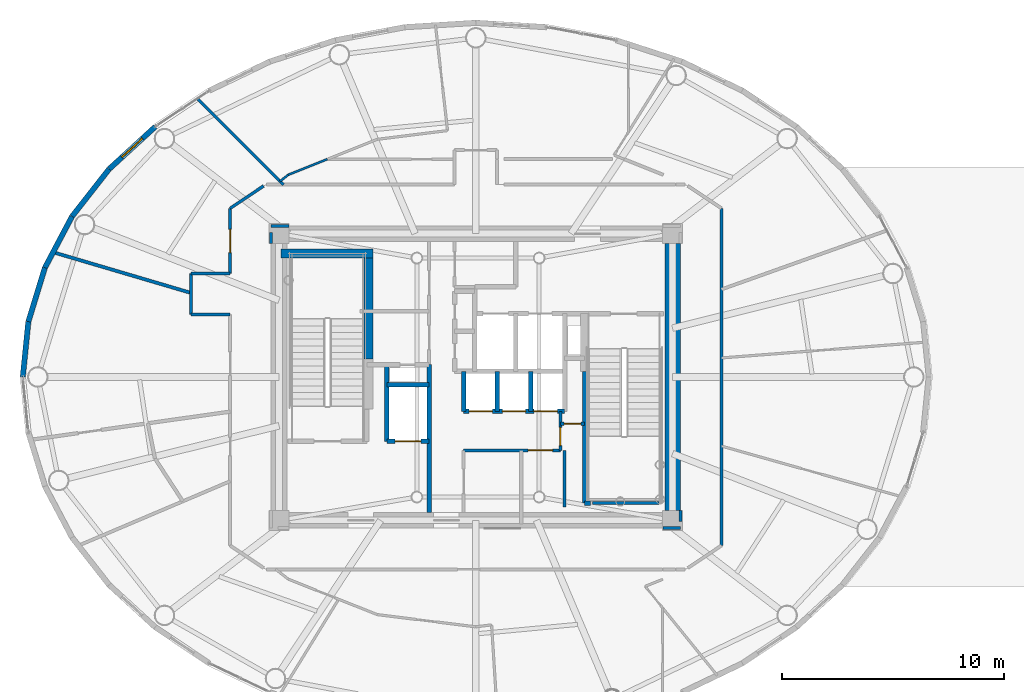
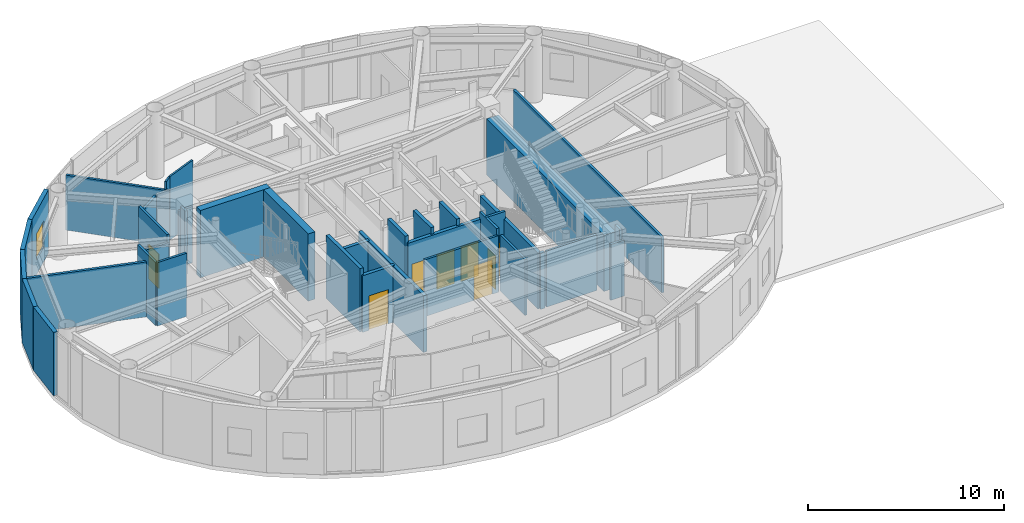
# One storey, part 15 of 24: 37 walls, 8 doors, 1 window, 9 openings.
"""IFC4 building model written with IfcOpenShell, lengths in metres."""

import ifcopenshell
import ifcopenshell.guid

model = None  # the IFC model being written
_history = None  # IfcOwnerHistory: only IFC2X3 demands one
_inside = {}  # id of a spatial element -> (the spatial element, [elements in it])
_under = {}  # id of a project, library or spatial element -> (it, [spatial elements below it])
_declared = {}  # id of a project -> (the project, [libraries it declares])
_typed = {}  # id of a type object -> (the type object, [elements of that type])
_made_of = {}  # id of a material, layer set ... -> (it, [elements and type objects made of it])


def new_model(schema):
    """Start an empty IFC model of exactly this schema.

    Asked for "IFC4X3", IfcOpenShell would pick the latest addendum, in which some entities
    have other attributes; the version numbers below select the first issue.
    IFC2X3 requires an IfcOwnerHistory on every rooted entity: one is made here for all.
    """
    global model, _history
    if schema == "IFC4X3":
        model = ifcopenshell.file(schema_version=(4, 3, 0, 0))
    else:
        model = ifcopenshell.file(schema=schema)
    _inside.clear()
    _under.clear()
    _declared.clear()
    _typed.clear()
    _made_of.clear()
    _history = None
    if model.schema == "IFC2X3":
        org = make("IfcOrganization", Name="unknown")
        user = make(
            "IfcPersonAndOrganization",
            ThePerson=make("IfcPerson", FamilyName="unknown"),
            TheOrganization=org,
        )
        app = make(
            "IfcApplication",
            ApplicationDeveloper=org,
            Version="unknown",
            ApplicationFullName="unknown",
            ApplicationIdentifier="unknown",
        )
        _history = make(
            "IfcOwnerHistory",
            OwningUser=user,
            OwningApplication=app,
            ChangeAction="ADDED",
            CreationDate=0,
        )
    return model


def make(cls, **values):
    """One entity of the class cls with the attributes given. An attribute that is None is left unset."""
    return model.create_entity(
        cls, **{name: value for name, value in values.items() if value is not None}
    )


def rooted(cls, **values):
    """An entity with a GlobalId (a new one), such as an element, a storey or a relation."""
    return make(cls, GlobalId=ifcopenshell.guid.new(), OwnerHistory=_history, **values)


def si_unit(unit_type, name, prefix=None):
    """IfcSIUnit, for example si_unit("LENGTHUNIT", "METRE", prefix="MILLI")."""
    return make("IfcSIUnit", UnitType=unit_type, Prefix=prefix, Name=name)


def assignment(units):
    """IfcUnitAssignment: the units of a project."""
    return None if units is None else make("IfcUnitAssignment", Units=units)


def point(xyz):
    """IfcCartesianPoint."""
    return None if xyz is None else make("IfcCartesianPoint", Coordinates=xyz)


def direction(xyz):
    """IfcDirection."""
    return None if xyz is None else make("IfcDirection", DirectionRatios=xyz)


def frame(location, z_axis=None, x_axis=None):
    """IfcAxis2Placement3D, a coordinate frame: its origin and axes. An axis left out is left unset."""
    return make(
        "IfcAxis2Placement3D",
        Location=point(location),
        Axis=direction(z_axis),
        RefDirection=direction(x_axis),
    )


def frame_2d(location, x_axis=None):
    """IfcAxis2Placement2D, a coordinate frame in the plane: its origin and x axis."""
    return make(
        "IfcAxis2Placement2D", Location=point(location), RefDirection=direction(x_axis)
    )


def origin():
    """The frame at (0, 0, 0) with its axes left unset."""
    return frame((0.0, 0.0, 0.0))


def origin_2d():
    """The frame at (0, 0) in the plane with its x axis left unset."""
    return frame_2d((0.0, 0.0))


def place(relative_to, where):
    """IfcLocalPlacement: puts the frame where relative to a parent placement (None: the world)."""
    return make(
        "IfcLocalPlacement", PlacementRelTo=relative_to, RelativePlacement=where
    )


def context(
    kind, dimensions, precision=None, world=None, true_north=None, identifier=None
):
    """IfcGeometricRepresentationContext, for example the 3D "Model" context."""
    return make(
        "IfcGeometricRepresentationContext",
        ContextIdentifier=identifier,
        ContextType=kind,
        CoordinateSpaceDimension=dimensions,
        Precision=precision,
        WorldCoordinateSystem=world,
        TrueNorth=true_north,
    )


def subcontext(parent, identifier, kind, view, scale=None):
    """IfcGeometricRepresentationSubContext, for example "Body" below "Model"."""
    return make(
        "IfcGeometricRepresentationSubContext",
        ContextIdentifier=identifier,
        ContextType=kind,
        ParentContext=parent,
        TargetScale=scale,
        TargetView=view,
    )


def project(units=None, contexts=None):
    """IfcProject with its units and contexts."""
    return rooted(
        "IfcProject",
        Name="project",
        RepresentationContexts=contexts,
        UnitsInContext=assignment(units),
    )


def spatial(cls, under=None, at=None, **own):
    """A site, building, storey or space (cls), placed at a placement, below another one or the project."""
    s = rooted(cls, ObjectPlacement=at, **own)
    if under is not None:
        _under.setdefault(under.id(), (under, []))[1].append(s)
    return s


def profile(cls, at=None, kind="AREA", **sizes):
    """A parametric profile (cls). Its sizes go by their IFC names, for example OverallWidth=200.0."""
    return make(cls, ProfileType=kind, Position=at, **sizes)


def rectangle(**sizes):
    """IfcRectangleProfileDef."""
    return profile("IfcRectangleProfileDef", **sizes)


def extrude(swept, where, along, depth):
    """IfcExtrudedAreaSolid: the profile swept, set in the frame where, extruded along a direction by depth."""
    return make(
        "IfcExtrudedAreaSolid",
        SweptArea=swept,
        Position=where,
        ExtrudedDirection=direction(along),
        Depth=depth,
    )


def shape(context_of_items, identifier, shape_type, items):
    """IfcShapeRepresentation: the items that make up one representation, for example the "Body"."""
    return make(
        "IfcShapeRepresentation",
        ContextOfItems=context_of_items,
        RepresentationIdentifier=identifier,
        RepresentationType=shape_type,
        Items=items,
    )


def source(mapping_origin, context_of_items, identifier, shape_type, items):
    """IfcRepresentationMap: a shape defined once, which mapped items show again and again."""
    return make(
        "IfcRepresentationMap",
        MappingOrigin=mapping_origin,
        MappedRepresentation=shape(context_of_items, identifier, shape_type, items),
    )


def transform(
    local_origin,
    x_axis=None,
    y_axis=None,
    z_axis=None,
    scale=None,
    scale2=None,
    scale3=None,
    uniform=True,
):
    """IfcCartesianTransformationOperator3D, or its non-uniform kind. x_axis, y_axis, z_axis: its Axis1, 2, 3."""
    if uniform:
        return make(
            "IfcCartesianTransformationOperator3D",
            Axis1=direction(x_axis),
            Axis2=direction(y_axis),
            LocalOrigin=point(local_origin),
            Scale=scale,
            Axis3=direction(z_axis),
        )
    return make(
        "IfcCartesianTransformationOperator3DnonUniform",
        Axis1=direction(x_axis),
        Axis2=direction(y_axis),
        LocalOrigin=point(local_origin),
        Scale=scale,
        Axis3=direction(z_axis),
        Scale2=scale2,
        Scale3=scale3,
    )


def mapped(mapping_source, mapping_target):
    """IfcMappedItem: shows the shape of a source again, moved by a transform."""
    return make(
        "IfcMappedItem", MappingSource=mapping_source, MappingTarget=mapping_target
    )


def material(Name=None, Category=None):
    """IfcMaterial."""
    return make("IfcMaterial", Name=Name, Category=Category)


def layer(
    of_material, thickness, ventilated=None, Name=None, Category=None, Priority=None
):
    """IfcMaterialLayer: one layer of a wall or slab, of a material (None: an air gap)."""
    return make(
        "IfcMaterialLayer",
        Material=of_material,
        LayerThickness=thickness,
        IsVentilated=ventilated,
        Name=Name,
        Category=Category,
        Priority=Priority,
    )


def layer_set(layers, Name=None):
    """IfcMaterialLayerSet."""
    return make("IfcMaterialLayerSet", MaterialLayers=layers, LayerSetName=Name)


def made_of(thing, what):
    """Note that an element or type object is made of a material, layer set ...; save() writes the relation."""
    if what is not None:
        _made_of.setdefault(what.id(), (what, []))[1].append(thing)
    return thing


def type_object(cls, material=None, **own):
    """A type object (cls), such as IfcWallType, which elements share."""
    return made_of(rooted(cls, **own), material)


def element(
    cls,
    number,
    at=None,
    inside=None,
    cuts=None,
    type_object=None,
    material=None,
    context=None,
    identifier="Body",
    shape_type=None,
    held_by="IfcProductDefinitionShape",
    body=None,
    shapes=None,
    **own,
):
    """One element of the class cls, such as IfcWall. Its Tag is "e" and its number.

    at: its placement. inside: the storey or other place that contains it. cuts: it is an
    opening in that element (IfcRelVoidsElement). A single representation is given by context,
    identifier, shape_type and body (its items); several are given by shapes. held_by: the class
    of the entity that holds the representations. save() writes the other relations.
    """
    e = rooted(cls, Tag="e%d" % number, ObjectPlacement=at, **own)
    if body is not None:
        shapes = [shape(context, identifier, shape_type, body)]
    if shapes is not None:
        e.Representation = make(held_by, Representations=shapes)
    if inside is not None:
        _inside.setdefault(inside.id(), (inside, []))[1].append(e)
    if cuts is not None:
        rooted(
            "IfcRelVoidsElement", RelatingBuildingElement=cuts, RelatedOpeningElement=e
        )
    if type_object is not None:
        _typed.setdefault(type_object.id(), (type_object, []))[1].append(e)
    return made_of(e, material)


def fill(opening, filler):
    """IfcRelFillsElement: the door or window that sits in an opening."""
    return rooted(
        "IfcRelFillsElement",
        RelatingOpeningElement=opening,
        RelatedBuildingElement=filler,
    )


def aggregate(whole, parts):
    """IfcRelAggregates: a whole, such as a stair, and the parts it consists of."""
    return rooted("IfcRelAggregates", RelatingObject=whole, RelatedObjects=parts)


def save(model, path):
    """Write the relations noted so far, then the file.

    IfcRelAggregates (storeys below a building ...), IfcRelContainedInSpatialStructure (elements
    in a storey), IfcRelDefinesByType, IfcRelAssociatesMaterial and IfcRelDeclares: one each for
    every whole, place, type object, material and project.
    """
    for whole, parts in _under.values():
        aggregate(whole, parts)
    for where, things in _inside.values():
        rooted(
            "IfcRelContainedInSpatialStructure",
            RelatedElements=things,
            RelatingStructure=where,
        )
    for kind, things in _typed.values():
        rooted("IfcRelDefinesByType", RelatedObjects=things, RelatingType=kind)
    for what, things in _made_of.values():
        rooted("IfcRelAssociatesMaterial", RelatedObjects=things, RelatingMaterial=what)
    for by, libraries in _declared.values():
        rooted("IfcRelDeclares", RelatingContext=by, RelatedDefinitions=libraries)
    model.write(path)


model = new_model("IFC4")

# Units and contexts
model_context = context("Model", 3, precision=1e-05, world=origin(), true_north=direction((0.0, 1.0)))
body_context = subcontext(model_context, "Body", "Model", "MODEL_VIEW")
ifc_project = project(units=[si_unit("LENGTHUNIT", "METRE"), si_unit("AREAUNIT", "SQUARE_METRE"), si_unit("VOLUMEUNIT", "CUBIC_METRE"), si_unit("PLANEANGLEUNIT", "RADIAN"), si_unit("MASSUNIT", "GRAM", prefix="KILO")], contexts=[model_context])

# Site, building, storey
site_placement = place(None, origin())
site = spatial("IfcSite", under=ifc_project, at=site_placement, CompositionType="ELEMENT")
building_placement = place(site_placement, origin())
building = spatial("IfcBuilding", under=site, at=building_placement, Name="Linh Dai School and Residence Tower", CompositionType="ELEMENT")
storey_placement = place(building_placement, frame((0.0, 0.0, 355.199951171875)))
storey = spatial("IfcBuildingStorey", under=building, at=storey_placement, Name="L88", CompositionType="ELEMENT", Elevation=355.199951171875)

# Wall, opening, window
ifc_material_1 = material(Name="Precast Concrete B45 (C35/45)", Category="concrete")
ifc_layer_1 = layer(ifc_material_1, 0.239990234375)
ifc_layer_set_1 = layer_set([ifc_layer_1], Name="Precast Concrete B45 (C35/45)")
wall_type_1 = type_object("IfcWallType", Name="EW-TC-240", PredefinedType="SOLIDWALL", material=ifc_layer_set_1)
wall_1_placement = place(storey_placement, frame((19.5068359375, 36.351806640625, 0.0), z_axis=(0.0, 0.0, 1.0), x_axis=(0.737020907932, 0.675869944051, 0.0)))
wall_1 = element("IfcWall", 1, at=wall_1_placement, inside=storey, type_object=wall_type_1, Name="L88 Terracotta Exterior Wall 16", PredefinedType="SOLIDWALL", context=body_context, shape_type="SweptSolid", body=[
    extrude(rectangle(XDim=2.814697265625, YDim=0.239990234375, at=frame_2d((1.4072265625, 0.0))), origin(), (0.0, 0.0, 1.0), 3.949951171875),
])
opening_1_placement = place(wall_1_placement, frame((0.78271484375, 0.0, 0.89990234375)))
opening_1 = element("IfcOpeningElement", 2, at=opening_1_placement, cuts=wall_1, Name="Opening W3", PredefinedType="OPENING", context=body_context, shape_type="SweptSolid", body=[
    extrude(rectangle(XDim=1.25, YDim=1.64990234375, at=origin_2d()), frame((0.625, 0.1298828125, 0.824951171875), z_axis=(0.0, -1.0, 0.0), x_axis=(1.0, 0.0, 0.0)), (0.0, 0.0, 1.0), 0.260009765625),
])
ifc_material_2 = material(Name="Double Low-E Insulated Glazing", Category="glass")
window_type = type_object("IfcWindowType", Name="WN-RES-1250x1650", PartitioningType="SINGLE_PANEL", PredefinedType="WINDOW", material=ifc_material_2)
shared_shape_1 = source(origin(), body_context, "Body", "SweptSolid", [
    extrude(rectangle(XDim=1.25, YDim=1.64990234375, at=origin_2d()), frame((0.625, 0.030029296875, 0.824951171875), z_axis=(0.0, -1.0, 0.0), x_axis=(1.0, 0.0, 0.0)), (0.0, 0.0, 1.0), 0.06005859375),
])
window_placement = place(opening_1_placement, origin())
window = element("IfcWindow", 3, at=window_placement, inside=storey, type_object=window_type, Name="L88 Exterior Window 16.1", OverallHeight=1.64990234375, OverallWidth=1.25, PartitioningType="SINGLE_PANEL", PredefinedType="WINDOW", context=body_context, shape_type="MappedRepresentation", body=[
    mapped(shared_shape_1, transform((0.0, 0.0, 0.0), x_axis=(1.0, 0.0, 0.0), y_axis=(0.0, 1.0, 0.0), z_axis=(0.0, 0.0, 1.0), scale=1.0)),
])
fill(opening_1, window)

# Walls
wall_2_placement = place(storey_placement, frame((17.839111328125, 34.220703125, 0.0), z_axis=(0.0, 0.0, 1.0), x_axis=(0.616286367698, 0.78752213492, 0.0)))
element("IfcWall", 4, at=wall_2_placement, inside=storey, type_object=wall_type_1, Name="L88 Terracotta Exterior Wall 17", PredefinedType="SOLIDWALL", context=body_context, shape_type="SweptSolid", body=[
    extrude(rectangle(XDim=2.7060546875, YDim=0.239990234375, at=frame_2d((1.35302734375, 0.0))), origin(), (0.0, 0.0, 1.0), 3.949951171875),
])
wall_3_placement = place(storey_placement, frame((16.618896484375, 31.913330078125, 0.0), z_axis=(0.0, 0.0, 1.0), x_axis=(0.467487999989, 0.883999417345, 0.0)))
element("IfcWall", 5, at=wall_3_placement, inside=storey, type_object=wall_type_1, Name="L88 Terracotta Exterior Wall 18", PredefinedType="SOLIDWALL", context=body_context, shape_type="SweptSolid", body=[
    extrude(rectangle(XDim=2.610107421875, YDim=0.239990234375, at=frame_2d((1.30517578125, 0.0))), origin(), (0.0, 0.0, 1.0), 3.949951171875),
])
wall_4_placement = place(storey_placement, frame((15.875, 29.48681640625, 0.0), z_axis=(0.0, 0.0, 1.0), x_axis=(0.293105547213, 0.956080089842, 0.0)))
element("IfcWall", 6, at=wall_4_placement, inside=storey, type_object=wall_type_1, Name="L88 Terracotta Exterior Wall 19", PredefinedType="SOLIDWALL", context=body_context, shape_type="SweptSolid", body=[
    extrude(rectangle(XDim=2.5380859375, YDim=0.239990234375, at=frame_2d((1.26904296875, 0.0))), origin(), (0.0, 0.0, 1.0), 3.949951171875),
])
wall_5_placement = place(storey_placement, frame((15.625, 27.0, 0.0), z_axis=(0.0, 0.0, 1.0), x_axis=(0.100025963401, 0.994984827344, 0.0)))
element("IfcWall", 7, at=wall_5_placement, inside=storey, type_object=wall_type_1, Name="L88 Terracotta Exterior Wall 20", PredefinedType="SOLIDWALL", context=body_context, shape_type="SweptSolid", body=[
    extrude(rectangle(XDim=2.499267578125, YDim=0.239990234375, at=frame_2d((1.24951171875, 0.0))), origin(), (0.0, 0.0, 1.0), 3.949951171875),
])
ifc_material_3 = material(Name="Autoclaved Aerated Concrete Blockwork", Category="masonry")
ifc_layer_2 = layer(ifc_material_3, 0.135009765625)
ifc_layer_set_2 = layer_set([ifc_layer_2], Name="Autoclaved Aerated Concrete Blockwork")
wall_type_2 = type_object("IfcWallType", Name="IW-CORR-135-EI90", PredefinedType="PARTITIONING", material=ifc_layer_set_2)
wall_6_placement = place(storey_placement, frame((23.199951171875, 29.800048828125, 0.0), z_axis=(0.0, 0.0, 1.0), x_axis=(0.0, 1.0, 0.0)))
element("IfcWall", 8, at=wall_6_placement, inside=storey, type_object=wall_type_2, Name="L88 Interior Partition Wall 006", PredefinedType="PARTITIONING", context=body_context, shape_type="SweptSolid", body=[
    extrude(rectangle(XDim=1.849853515625, YDim=0.135009765625, at=frame_2d((0.9248046875, 0.0))), origin(), (0.0, 0.0, 1.0), 3.949951171875),
])
wall_7_placement = place(storey_placement, frame((23.199951171875, 29.800048828125, 0.0), z_axis=(0.0, 0.0, 1.0), x_axis=(1.0, 0.0, 0.0)))
element("IfcWall", 9, at=wall_7_placement, inside=storey, type_object=wall_type_2, Name="L88 Interior Partition Wall 007", PredefinedType="PARTITIONING", context=body_context, shape_type="SweptSolid", body=[
    extrude(rectangle(XDim=1.75, YDim=0.135009765625, at=frame_2d((0.875, 0.0))), origin(), (0.0, 0.0, 1.0), 3.949951171875),
])
wall_8_placement = place(storey_placement, frame((23.199951171875, 31.64990234375, 0.0), z_axis=(0.0, 0.0, 1.0), x_axis=(1.0, 0.0, 0.0)))
element("IfcWall", 10, at=wall_8_placement, inside=storey, type_object=wall_type_2, Name="L88 Interior Partition Wall 008", PredefinedType="PARTITIONING", context=body_context, shape_type="SweptSolid", body=[
    extrude(rectangle(XDim=1.75, YDim=0.135009765625, at=frame_2d((0.875, 0.0))), origin(), (0.0, 0.0, 1.0), 3.485107421875),
])
wall_9_placement = place(storey_placement, frame((23.473876953125, 39.526123046875, 0.0), z_axis=(0.0, 0.0, 1.0), x_axis=(0.707106781187, -0.707106781187, 0.0)))
element("IfcWall", 11, at=wall_9_placement, inside=storey, type_object=wall_type_2, Name="L88 Interior Partition Wall 009", PredefinedType="PARTITIONING", context=body_context, shape_type="SweptSolid", body=[
    extrude(rectangle(XDim=5.481689453125, YDim=0.135009765625, at=frame_2d((2.74072265625, 0.0))), origin(), (0.0, 0.0, 1.0), 3.43505859375),
])

# Wall, opening, door
wall_10_placement = place(storey_placement, frame((24.949951171875, 31.64990234375, 0.0), z_axis=(0.0, 0.0, 1.0), x_axis=(0.0, 1.0, 0.0)))
wall_10 = element("IfcWall", 12, at=wall_10_placement, inside=storey, type_object=wall_type_2, Name="L88 Interior Partition Wall 012", PredefinedType="PARTITIONING", context=body_context, shape_type="SweptSolid", body=[
    extrude(rectangle(XDim=2.9326171875, YDim=0.135009765625, at=frame_2d((1.46630859375, 0.0))), origin(), (0.0, 0.0, 1.0), 3.949951171875),
])
opening_2_placement = place(wall_10_placement, frame((0.94140625, 0.0, 0.0)))
opening_2 = element("IfcOpeningElement", 13, at=opening_2_placement, cuts=wall_10, Name="Opening D04", PredefinedType="OPENING", context=body_context, shape_type="SweptSolid", body=[
    extrude(rectangle(XDim=1.050048828125, YDim=2.14990234375, at=origin_2d()), frame((0.52490234375, 0.07763671875, 1.074951171875), z_axis=(0.0, -1.0, 0.0), x_axis=(1.0, 0.0, 0.0)), (0.0, 0.0, 1.0), 0.155029296875),
])
ifc_material_4 = material(Name="Acoustic Vision-Panel Timber Classroom Door", Category="wood")
door_type_1 = type_object("IfcDoorType", Name="DR-SCH-1050x2150-FD60S", OperationType="NOTDEFINED", PredefinedType="DOOR", material=ifc_material_4)
shared_shape_2 = source(origin(), body_context, "Body", "SweptSolid", [
    extrude(rectangle(XDim=1.050048828125, YDim=2.14990234375, at=origin_2d()), frame((0.52490234375, 0.02490234375, 1.074951171875), z_axis=(0.0, -1.0, 0.0), x_axis=(1.0, 0.0, 0.0)), (0.0, 0.0, 1.0), 0.050048828125),
])
door_1_placement = place(opening_2_placement, origin())
door_1 = element("IfcDoor", 14, at=door_1_placement, inside=storey, type_object=door_type_1, Name="L88 Crown Sky Wintergarden Lounge Door", OperationType="SINGLE_SWING_RIGHT", OverallHeight=2.14990234375, OverallWidth=1.050048828125, PredefinedType="DOOR", context=body_context, shape_type="MappedRepresentation", body=[
    mapped(shared_shape_2, transform((0.0, 0.0, 0.0), x_axis=(1.0, 0.0, 0.0), y_axis=(0.0, 1.0, 0.0), z_axis=(0.0, 0.0, 1.0), scale=1.0)),
])
fill(opening_2, door_1)

# Wall
wall_11_placement = place(storey_placement, frame((24.949951171875, 34.58251953125, 0.0), z_axis=(0.0, 0.0, 1.0), x_axis=(0.831180227396, 0.556003084151, 0.0)))
element("IfcWall", 15, at=wall_11_placement, inside=storey, type_object=wall_type_2, Name="L88 Interior Partition Wall 013", PredefinedType="PARTITIONING", context=body_context, shape_type="SweptSolid", body=[
    extrude(rectangle(XDim=1.815185546875, YDim=0.135009765625, at=frame_2d((0.90771484375, 0.0))), origin(), (0.0, 0.0, 1.0), 3.485107421875),
])

# Wall, opening, door
wall_12_placement = place(storey_placement, frame((35.449951171875, 23.699951171875, 0.0), z_axis=(0.0, 0.0, 1.0), x_axis=(1.0, 0.0, 0.0)))
wall_12 = element("IfcWall", 16, at=wall_12_placement, inside=storey, type_object=wall_type_2, Name="L88 Interior Partition Wall 044", PredefinedType="PARTITIONING", context=body_context, shape_type="SweptSolid", body=[
    extrude(rectangle(XDim=4.35009765625, YDim=0.135009765625, at=frame_2d((2.175048828125, 0.0))), origin(), (0.0, 0.0, 1.0), 3.53515625),
])
opening_3_placement = place(wall_12_placement, frame((2.905029296875, 0.0, 0.0)))
opening_3 = element("IfcOpeningElement", 17, at=opening_3_placement, cuts=wall_12, Name="Opening D07", PredefinedType="OPENING", context=body_context, shape_type="SweptSolid", body=[
    extrude(rectangle(XDim=1.10009765625, YDim=2.14990234375, at=origin_2d()), frame((0.550048828125, 0.07763671875, 1.074951171875), z_axis=(0.0, -1.0, 0.0), x_axis=(1.0, 0.0, 0.0)), (0.0, 0.0, 1.0), 0.155029296875),
])
ifc_material_5 = material(Name="Fire-Rated Louvred Steel Plant Door", Category="steel")
door_type_2 = type_object("IfcDoorType", Name="DR-PLT-1100x2150-FD60S", OperationType="NOTDEFINED", PredefinedType="DOOR", material=ifc_material_5)
shared_shape_3 = source(origin(), body_context, "Body", "SweptSolid", [
    extrude(rectangle(XDim=1.10009765625, YDim=2.14990234375, at=origin_2d()), frame((0.550048828125, 0.02490234375, 1.074951171875), z_axis=(0.0, -1.0, 0.0), x_axis=(1.0, 0.0, 0.0)), (0.0, 0.0, 1.0), 0.050048828125),
])
door_2_placement = place(opening_3_placement, origin())
door_2 = element("IfcDoor", 18, at=door_2_placement, inside=storey, type_object=door_type_2, Name="L88 Telecom Node Room Door", OperationType="SINGLE_SWING_RIGHT", OverallHeight=2.14990234375, OverallWidth=1.10009765625, PredefinedType="DOOR", context=body_context, shape_type="MappedRepresentation", body=[
    mapped(shared_shape_3, transform((0.0, 0.0, 0.0), x_axis=(1.0, 0.0, 0.0), y_axis=(0.0, 1.0, 0.0), z_axis=(0.0, 0.0, 1.0), scale=1.0)),
])
fill(opening_3, door_2)

wall_13_placement = place(storey_placement, frame((39.800048828125, 23.699951171875, 0.0), z_axis=(0.0, 0.0, 1.0), x_axis=(0.0, 1.0, 0.0)))
wall_13 = element("IfcWall", 19, at=wall_13_placement, inside=storey, type_object=wall_type_2, Name="L88 Interior Partition Wall 059", PredefinedType="PARTITIONING", context=body_context, shape_type="SweptSolid", body=[
    extrude(rectangle(XDim=1.75, YDim=0.135009765625, at=frame_2d((0.875, 0.0))), origin(), (0.0, 0.0, 1.0), 3.949951171875),
])
opening_4_placement = place(wall_13_placement, frame((0.2099609375, 0.0, 0.0)))
opening_4 = element("IfcOpeningElement", 20, at=opening_4_placement, cuts=wall_13, Name="Opening D06", PredefinedType="OPENING", context=body_context, shape_type="SweptSolid", body=[
    extrude(rectangle(XDim=0.820068359375, YDim=2.10009765625, at=origin_2d()), frame((0.41015625, 0.07763671875, 1.050048828125), z_axis=(0.0, -1.0, 0.0), x_axis=(1.0, 0.0, 0.0)), (0.0, 0.0, 1.0), 0.155029296875),
])
ifc_material_6 = material(Name="Moisture-Resistant Timber Bathroom Door", Category="wood")
door_type_3 = type_object("IfcDoorType", Name="DR-WET-820x2100", OperationType="NOTDEFINED", PredefinedType="DOOR", material=ifc_material_6)
shared_shape_4 = source(origin(), body_context, "Body", "SweptSolid", [
    extrude(rectangle(XDim=0.820068359375, YDim=2.10009765625, at=origin_2d()), frame((0.41015625, 0.02490234375, 1.050048828125), z_axis=(0.0, -1.0, 0.0), x_axis=(1.0, 0.0, 0.0)), (0.0, 0.0, 1.0), 0.050048828125),
])
door_3_placement = place(opening_4_placement, origin())
door_3 = element("IfcDoor", 21, at=door_3_placement, inside=storey, type_object=door_type_3, Name="L88 SE Electrical Closet Door", OperationType="SINGLE_SWING_RIGHT", OverallHeight=2.10009765625, OverallWidth=0.820068359375, PredefinedType="DOOR", context=body_context, shape_type="MappedRepresentation", body=[
    mapped(shared_shape_4, transform((0.0, 0.0, 0.0), x_axis=(1.0, 0.0, 0.0), y_axis=(0.0, 1.0, 0.0), z_axis=(0.0, 0.0, 1.0), scale=1.0)),
])
fill(opening_4, door_3)

# Walls
wall_14_placement = place(storey_placement, frame((47.050048828125, 19.41748046875, 0.0), z_axis=(0.0, 0.0, 1.0), x_axis=(0.0, 1.0, 0.0)))
element("IfcWall", 22, at=wall_14_placement, inside=storey, type_object=wall_type_2, Name="L88 Interior Partition Wall 075", PredefinedType="PARTITIONING", context=body_context, shape_type="SweptSolid", body=[
    extrude(rectangle(XDim=15.1650390625, YDim=0.135009765625, at=frame_2d((7.58251953125, 0.0))), origin(), (0.0, 0.0, 1.0), 3.485107421875),
])
wall_15_placement = place(storey_placement, frame((44.239990234375, 21.330078125, 0.0), z_axis=(0.0, 0.0, 1.0), x_axis=(-1.0, 0.0, 0.0)))
element("IfcWall", 23, at=wall_15_placement, inside=storey, type_object=wall_type_2, Name="L88 Interior Partition Wall 079", PredefinedType="PARTITIONING", context=body_context, shape_type="SweptSolid", body=[
    extrude(rectangle(XDim=2.97998046875, YDim=0.135009765625, at=frame_2d((1.489990234375, 0.0))), origin(), (0.0, 0.0, 1.0), 3.485107421875),
])
wall_16_placement = place(storey_placement, frame((40.0, 23.699951171875, 0.0), z_axis=(0.0, 0.0, 1.0), x_axis=(0.0, -1.0, 0.0)))
element("IfcWall", 24, at=wall_16_placement, inside=storey, type_object=wall_type_2, Name="L88 Interior Partition Wall 080", PredefinedType="PARTITIONING", context=body_context, shape_type="SweptSolid", body=[
    extrude(rectangle(XDim=2.5400390625, YDim=0.135009765625, at=frame_2d((1.27001953125, 0.0))), origin(), (0.0, 0.0, 1.0), 3.485107421875),
])
wall_17_placement = place(storey_placement, frame((27.590087890625, 33.800048828125, 0.0), z_axis=(0.0, 0.0, 1.0), x_axis=(-1.0, 0.0, 0.0)))
element("IfcWall", 25, at=wall_17_placement, inside=storey, type_object=wall_type_2, Name="L88 Interior Partition Wall 085", PredefinedType="PARTITIONING", context=body_context, shape_type="SweptSolid", body=[
    extrude(rectangle(XDim=0.7900390625, YDim=0.135009765625, at=frame_2d((0.39501953125, 0.0))), origin(), (0.0, 0.0, 1.0), 3.485107421875),
])
wall_18_placement = place(storey_placement, frame((26.800048828125, 33.492431640625, 0.0), z_axis=(0.0, 0.0, 1.0), x_axis=(0.0, -1.0, 0.0)))
element("IfcWall", 26, at=wall_18_placement, inside=storey, type_object=wall_type_2, Name="L88 Interior Partition Wall 086", PredefinedType="PARTITIONING", context=body_context, shape_type="SweptSolid", body=[
    extrude(rectangle(XDim=0.482421875, YDim=0.135009765625, at=frame_2d((0.2412109375, 0.0))), origin(), (0.0, 0.0, 1.0), 3.949951171875),
])
wall_19_placement = place(storey_placement, frame((44.409912109375, 20.199951171875, 0.0), z_axis=(0.0, 0.0, 1.0), x_axis=(1.0, 0.0, 0.0)))
element("IfcWall", 27, at=wall_19_placement, inside=storey, type_object=wall_type_2, Name="L88 Interior Partition Wall 089", PredefinedType="PARTITIONING", context=body_context, shape_type="SweptSolid", body=[
    extrude(rectangle(XDim=0.7900390625, YDim=0.135009765625, at=frame_2d((0.39501953125, 0.0))), origin(), (0.0, 0.0, 1.0), 3.485107421875),
])
wall_20_placement = place(storey_placement, frame((45.199951171875, 20.507568359375, 0.0), z_axis=(0.0, 0.0, 1.0), x_axis=(0.0, 1.0, 0.0)))
element("IfcWall", 28, at=wall_20_placement, inside=storey, type_object=wall_type_2, Name="L88 Interior Partition Wall 090", PredefinedType="PARTITIONING", context=body_context, shape_type="SweptSolid", body=[
    extrude(rectangle(XDim=0.482421875, YDim=0.135009765625, at=frame_2d((0.2412109375, 0.0))), origin(), (0.0, 0.0, 1.0), 3.949951171875),
])
ifc_layer_3 = layer(ifc_material_3, 0.14990234375)
ifc_layer_set_3 = layer_set([ifc_layer_3], Name="Autoclaved Aerated Concrete Blockwork")
wall_type_3 = type_object("IfcWallType", Name="IW-SCH-150-EI60", PredefinedType="PARTITIONING", material=ifc_layer_set_3)
wall_21_placement = place(storey_placement, frame((16.982421875, 32.611572265625, 0.0), z_axis=(0.0, 0.0, 1.0), x_axis=(0.95911324628, -0.283022580037, 0.0)))
element("IfcWall", 29, at=wall_21_placement, inside=storey, type_object=wall_type_3, Name="L88 Interior Partition Wall 002", PredefinedType="PARTITIONING", context=body_context, shape_type="SweptSolid", body=[
    extrude(rectangle(XDim=6.482666015625, YDim=0.14990234375, at=frame_2d((3.2412109375, 0.0))), origin(), (0.0, 0.0, 1.0), 3.43505859375),
])

# Wall, opening, door
wall_22_placement = place(storey_placement, frame((39.800048828125, 24.89990234375, 0.0), z_axis=(0.0, 0.0, 1.0), x_axis=(1.0, 0.0, 0.0)))
wall_22 = element("IfcWall", 30, at=wall_22_placement, inside=storey, type_object=wall_type_3, Name="L88 Interior Partition Wall 060", PredefinedType="PARTITIONING", context=body_context, shape_type="SweptSolid", body=[
    extrude(rectangle(XDim=1.099853515625, YDim=0.14990234375, at=frame_2d((0.5498046875, 0.0))), origin(), (0.0, 0.0, 1.0), 3.949951171875),
])
opening_5_placement = place(wall_22_placement, frame((0.169921875, 0.0, 0.0)))
opening_5 = element("IfcOpeningElement", 31, at=opening_5_placement, cuts=wall_22, Name="Opening D08", PredefinedType="OPENING", context=body_context, shape_type="SweptSolid", body=[
    extrude(rectangle(XDim=0.760009765625, YDim=2.10009765625, at=origin_2d()), frame((0.3798828125, 0.0849609375, 1.050048828125), z_axis=(0.0, -1.0, 0.0), x_axis=(1.0, 0.0, 0.0)), (0.0, 0.0, 1.0), 0.169921875),
])
ifc_material_7 = material(Name="Engineered Timber Closet and Study Door", Category="wood")
door_type_4 = type_object("IfcDoorType", Name="DR-CMP-760x2100", OperationType="NOTDEFINED", PredefinedType="DOOR", material=ifc_material_7)
shared_shape_5 = source(origin(), body_context, "Body", "SweptSolid", [
    extrude(rectangle(XDim=0.760009765625, YDim=2.10009765625, at=origin_2d()), frame((0.3798828125, 0.02490234375, 1.050048828125), z_axis=(0.0, -1.0, 0.0), x_axis=(1.0, 0.0, 0.0)), (0.0, 0.0, 1.0), 0.050048828125),
])
door_4_placement = place(opening_5_placement, origin())
door_4 = element("IfcDoor", 32, at=door_4_placement, inside=storey, type_object=door_type_4, Name="L88 NE Equipment Store Door", OperationType="SINGLE_SWING_LEFT", OverallHeight=2.10009765625, OverallWidth=0.760009765625, PredefinedType="DOOR", context=body_context, shape_type="MappedRepresentation", body=[
    mapped(shared_shape_5, transform((0.0, 0.0, 0.0), x_axis=(1.0, 0.0, 0.0), y_axis=(0.0, 1.0, 0.0), z_axis=(0.0, 0.0, 1.0), scale=1.0)),
])
fill(opening_5, door_4)

# Wall
ifc_material_8 = material(Name="Concrete B45 (C35/45)", Category="concrete")
ifc_layer_4 = layer(ifc_material_8, 0.199951171875)
ifc_layer_set_4 = layer_set([ifc_layer_4], Name="Concrete B45 (C35/45)")
wall_type_4 = type_object("IfcWallType", Name="IW-SHAFT-200-EI120", PredefinedType="PARTITIONING", material=ifc_layer_set_4)
wall_23_placement = place(storey_placement, frame((32.0, 24.10009765625, 0.0), z_axis=(0.0, 0.0, 1.0), x_axis=(0.0, 1.0, 0.0)))
element("IfcWall", 33, at=wall_23_placement, inside=storey, type_object=wall_type_4, Name="L88 Interior Partition Wall 029", PredefinedType="PARTITIONING", context=body_context, shape_type="SweptSolid", body=[
    extrude(rectangle(XDim=3.449951171875, YDim=0.199951171875, at=frame_2d((1.72509765625, 0.0))), origin(), (0.0, 0.0, 1.0), 3.949951171875),
])

# Wall, opening, door
wall_24_placement = place(storey_placement, frame((32.0, 24.10009765625, 0.0), z_axis=(0.0, 0.0, 1.0), x_axis=(1.0, 0.0, 0.0)))
wall_24 = element("IfcWall", 34, at=wall_24_placement, inside=storey, type_object=wall_type_4, Name="L88 Interior Partition Wall 030", PredefinedType="PARTITIONING", context=body_context, shape_type="SweptSolid", body=[
    extrude(rectangle(XDim=1.89990234375, YDim=0.199951171875, at=frame_2d((0.949951171875, 0.0))), origin(), (0.0, 0.0, 1.0), 3.53515625),
])
opening_6_placement = place(wall_24_placement, frame((0.375, 0.0, 0.0)))
opening_6 = element("IfcOpeningElement", 35, at=opening_6_placement, cuts=wall_24, Name="Opening LD-FF2", PredefinedType="OPENING", context=body_context, shape_type="SweptSolid", body=[
    extrude(rectangle(XDim=1.14990234375, YDim=2.14990234375, at=origin_2d()), frame((0.574951171875, 0.10986328125, 1.074951171875), z_axis=(0.0, -1.0, 0.0), x_axis=(1.0, 0.0, 0.0)), (0.0, 0.0, 1.0), 0.219970703125),
])
ifc_material_9 = material(Name="Fire-Rated Stainless Steel Firefighting Lift Door", Category="steel")
door_type_5 = type_object("IfcDoorType", Name="DR-LD-FF-1150x2150-FD120", OperationType="DOUBLE_DOOR_SLIDING", PredefinedType="USERDEFINED", material=ifc_material_9)
shared_shape_6 = source(origin(), body_context, "Body", "SweptSolid", [
    extrude(rectangle(XDim=1.14990234375, YDim=2.14990234375, at=origin_2d()), frame((0.574951171875, 0.02490234375, 1.074951171875), z_axis=(0.0, -1.0, 0.0), x_axis=(1.0, 0.0, 0.0)), (0.0, 0.0, 1.0), 0.050048828125),
])
door_5_placement = place(opening_6_placement, origin())
door_5 = element("IfcDoor", 36, at=door_5_placement, inside=storey, type_object=door_type_5, Name="L88 Lift FF2 Sliding Landing Door", ObjectType="LANDING DOOR", OperationType="DOUBLE_DOOR_SLIDING", OverallHeight=2.14990234375, OverallWidth=1.14990234375, PredefinedType="USERDEFINED", context=body_context, shape_type="MappedRepresentation", body=[
    mapped(shared_shape_6, transform((0.0, 0.0, 0.0), x_axis=(1.0, 0.0, 0.0), y_axis=(0.0, 1.0, 0.0), z_axis=(0.0, 0.0, 1.0), scale=1.0)),
])
fill(opening_6, door_5)

# Walls
wall_25_placement = place(storey_placement, frame((32.0, 26.64990234375, 0.0), z_axis=(0.0, 0.0, 1.0), x_axis=(1.0, 0.0, 0.0)))
element("IfcWall", 37, at=wall_25_placement, inside=storey, type_object=wall_type_4, Name="L88 Interior Partition Wall 031", PredefinedType="PARTITIONING", context=body_context, shape_type="SweptSolid", body=[
    extrude(rectangle(XDim=1.89990234375, YDim=0.199951171875, at=frame_2d((0.949951171875, 0.0))), origin(), (0.0, 0.0, 1.0), 3.53515625),
])
wall_26_placement = place(storey_placement, frame((33.89990234375, 20.89990234375, 0.0), z_axis=(0.0, 0.0, 1.0), x_axis=(0.0, 1.0, 0.0)))
element("IfcWall", 38, at=wall_26_placement, inside=storey, type_object=wall_type_4, Name="L88 Interior Partition Wall 032", PredefinedType="PARTITIONING", context=body_context, shape_type="SweptSolid", body=[
    extrude(rectangle(XDim=6.650146484375, YDim=0.199951171875, at=frame_2d((3.3251953125, 0.0))), origin(), (0.0, 0.0, 1.0), 3.53515625),
])
wall_27_placement = place(storey_placement, frame((35.449951171875, 25.449951171875, 0.0), z_axis=(0.0, 0.0, 1.0), x_axis=(0.0, 1.0, 0.0)))
element("IfcWall", 39, at=wall_27_placement, inside=storey, type_object=wall_type_4, Name="L88 Interior Partition Wall 045", PredefinedType="PARTITIONING", context=body_context, shape_type="SweptSolid", body=[
    extrude(rectangle(XDim=1.800048828125, YDim=0.199951171875, at=frame_2d((0.89990234375, 0.0))), origin(), (0.0, 0.0, 1.0), 3.949951171875),
])

# Wall, openings, doors
wall_28_placement = place(storey_placement, frame((35.449951171875, 25.449951171875, 0.0), z_axis=(0.0, 0.0, 1.0), x_axis=(1.0, 0.0, 0.0)))
wall_28 = element("IfcWall", 40, at=wall_28_placement, inside=storey, type_object=wall_type_4, Name="L88 Interior Partition Wall 046", PredefinedType="PARTITIONING", context=body_context, shape_type="SweptSolid", body=[
    extrude(rectangle(XDim=4.550048828125, YDim=0.199951171875, at=frame_2d((2.27490234375, 0.0))), origin(), (0.0, 0.0, 1.0), 3.53515625),
])
opening_7_placement = place(wall_28_placement, frame((0.25, 0.0, 0.0)))
opening_7 = element("IfcOpeningElement", 41, at=opening_7_placement, cuts=wall_28, Name="Opening LD-PL7", PredefinedType="OPENING", context=body_context, shape_type="SweptSolid", body=[
    extrude(rectangle(XDim=1.050048828125, YDim=2.14990234375, at=origin_2d()), frame((0.52490234375, 0.10986328125, 1.074951171875), z_axis=(0.0, -1.0, 0.0), x_axis=(1.0, 0.0, 0.0)), (0.0, 0.0, 1.0), 0.219970703125),
])
opening_8_placement = place(wall_28_placement, frame((1.7451171875, 0.0, 0.0)))
opening_8 = element("IfcOpeningElement", 42, at=opening_8_placement, cuts=wall_28, Name="Opening LD-PL8", PredefinedType="OPENING", context=body_context, shape_type="SweptSolid", body=[
    extrude(rectangle(XDim=1.050048828125, YDim=2.14990234375, at=origin_2d()), frame((0.52490234375, 0.10986328125, 1.074951171875), z_axis=(0.0, -1.0, 0.0), x_axis=(1.0, 0.0, 0.0)), (0.0, 0.0, 1.0), 0.219970703125),
])
opening_9_placement = place(wall_28_placement, frame((3.1650390625, 0.0, 0.0)))
opening_9 = element("IfcOpeningElement", 43, at=opening_9_placement, cuts=wall_28, Name="Opening LD-PL9", PredefinedType="OPENING", context=body_context, shape_type="SweptSolid", body=[
    extrude(rectangle(XDim=1.050048828125, YDim=2.14990234375, at=origin_2d()), frame((0.52490234375, 0.10986328125, 1.074951171875), z_axis=(0.0, -1.0, 0.0), x_axis=(1.0, 0.0, 0.0)), (0.0, 0.0, 1.0), 0.219970703125),
])
ifc_material_10 = material(Name="Brushed Stainless Steel Lift Landing Door", Category="steel")
door_type_6 = type_object("IfcDoorType", Name="DR-LD-PASS-1050x2150", OperationType="DOUBLE_DOOR_SLIDING", PredefinedType="USERDEFINED", material=ifc_material_10)
shared_shape_7 = source(origin(), body_context, "Body", "SweptSolid", [
    extrude(rectangle(XDim=1.050048828125, YDim=2.14990234375, at=origin_2d()), frame((0.52490234375, 0.02490234375, 1.074951171875), z_axis=(0.0, -1.0, 0.0), x_axis=(1.0, 0.0, 0.0)), (0.0, 0.0, 1.0), 0.050048828125),
])
door_6_placement = place(opening_7_placement, origin())
door_6 = element("IfcDoor", 44, at=door_6_placement, inside=storey, type_object=door_type_6, Name="L88 Lift PL7 Sliding Landing Door", ObjectType="LANDING DOOR", OperationType="DOUBLE_DOOR_SLIDING", OverallHeight=2.14990234375, OverallWidth=1.050048828125, PredefinedType="USERDEFINED", context=body_context, shape_type="MappedRepresentation", body=[
    mapped(shared_shape_7, transform((0.0, 0.0, 0.0), x_axis=(1.0, 0.0, 0.0), y_axis=(0.0, 1.0, 0.0), z_axis=(0.0, 0.0, 1.0), scale=1.0)),
])
fill(opening_7, door_6)
door_7_placement = place(opening_8_placement, origin())
door_7 = element("IfcDoor", 45, at=door_7_placement, inside=storey, type_object=door_type_6, Name="L88 Lift PL8 Sliding Landing Door", ObjectType="LANDING DOOR", OperationType="DOUBLE_DOOR_SLIDING", OverallHeight=2.14990234375, OverallWidth=1.050048828125, PredefinedType="USERDEFINED", context=body_context, shape_type="MappedRepresentation", body=[
    mapped(shared_shape_7, transform((0.0, 0.0, 0.0), x_axis=(1.0, 0.0, 0.0), y_axis=(0.0, 1.0, 0.0), z_axis=(0.0, 0.0, 1.0), scale=1.0)),
])
fill(opening_8, door_7)
door_8_placement = place(opening_9_placement, origin())
door_8 = element("IfcDoor", 46, at=door_8_placement, inside=storey, type_object=door_type_6, Name="L88 Lift PL9 Sliding Landing Door", ObjectType="LANDING DOOR", OperationType="DOUBLE_DOOR_SLIDING", OverallHeight=2.14990234375, OverallWidth=1.050048828125, PredefinedType="USERDEFINED", context=body_context, shape_type="MappedRepresentation", body=[
    mapped(shared_shape_7, transform((0.0, 0.0, 0.0), x_axis=(1.0, 0.0, 0.0), y_axis=(0.0, 1.0, 0.0), z_axis=(0.0, 0.0, 1.0), scale=1.0)),
])
fill(opening_9, door_8)

# Walls
for number, where, z_axis, x_axis, name in (
    (47, (36.9599609375, 25.449951171875, 0.0), (0.0, 0.0, 1.0), (0.0, 1.0, 0.0), "L88 Interior Partition Wall 054"),
    (48, (38.47998046875, 25.449951171875, 0.0), (0.0, 0.0, 1.0), (0.0, 1.0, 0.0), "L88 Interior Partition Wall 058"),
):
    element("IfcWall", number, at=place(storey_placement, frame(where, z_axis=z_axis, x_axis=x_axis)), inside=storey, type_object=wall_type_4, Name=name, PredefinedType="PARTITIONING", context=body_context, shape_type="SweptSolid", body=[
        extrude(rectangle(XDim=1.800048828125, YDim=0.199951171875, at=frame_2d((0.89990234375, 0.0))), origin(), (0.0, 0.0, 1.0), 3.949951171875),
    ])
wall_29_placement = place(storey_placement, frame((40.89990234375, 21.330078125, 0.0), z_axis=(0.0, 0.0, 1.0), x_axis=(0.0, 1.0, 0.0)))
element("IfcWall", 49, at=wall_29_placement, inside=storey, type_object=wall_type_4, Name="L88 Interior Partition Wall 063", PredefinedType="PARTITIONING", context=body_context, shape_type="SweptSolid", body=[
    extrude(rectangle(XDim=5.909912109375, YDim=0.199951171875, at=frame_2d((2.955078125, 0.0))), origin(), (0.0, 0.0, 1.0), 3.485107421875),
])
wall_30_placement = place(storey_placement, frame((40.89990234375, 21.330078125, 0.0), z_axis=(0.0, 0.0, 1.0), x_axis=(1.0, 0.0, 0.0)))
element("IfcWall", 50, at=wall_30_placement, inside=storey, type_object=wall_type_4, Name="L88 Interior Partition Wall 064", PredefinedType="PARTITIONING", context=body_context, shape_type="SweptSolid", body=[
    extrude(rectangle(XDim=0.25, YDim=0.199951171875, at=frame_2d((0.125, 0.0))), origin(), (0.0, 0.0, 1.0), 3.485107421875),
])
ifc_material_11 = material(Name="Gypsum Plasterboard Acoustic Stud Partition", Category="masonry")
ifc_layer_5 = layer(ifc_material_11, 0.10009765625)
ifc_layer_set_5 = layer_set([ifc_layer_5], Name="Gypsum Plasterboard Acoustic Stud Partition")
wall_type_5 = type_object("IfcWallType", Name="IW-UNIT-100", PredefinedType="PARTITIONING", material=ifc_layer_set_5)
wall_31_placement = place(storey_placement, frame((27.196533203125, 35.803466796875, 0.0), z_axis=(0.0, 0.0, 1.0), x_axis=(0.787438970535, 0.616392624617, 0.0)))
element("IfcWall", 51, at=wall_31_placement, inside=storey, type_object=wall_type_5, Name="L88 Interior Partition Wall 018", PredefinedType="PARTITIONING", context=body_context, shape_type="SweptSolid", body=[
    extrude(rectangle(XDim=0.46826171875, YDim=0.10009765625, at=frame_2d((0.234130859375, 0.0))), origin(), (0.0, 0.0, 1.0), 3.949951171875),
])
wall_32_placement = place(storey_placement, frame((27.565185546875, 36.092041015625, 0.0), z_axis=(0.0, 0.0, 1.0), x_axis=(0.928751717561, 0.370702370006, 0.0)))
element("IfcWall", 52, at=wall_32_placement, inside=storey, type_object=wall_type_5, Name="L88 Interior Partition Wall 021", PredefinedType="PARTITIONING", context=body_context, shape_type="SweptSolid", body=[
    extrude(rectangle(XDim=1.89599609375, YDim=0.10009765625, at=frame_2d((0.947998046875, 0.0))), origin(), (0.0, 0.0, 1.0), 3.949951171875),
])
ifc_layer_6 = layer(ifc_material_8, 0.39990234375)
ifc_layer_set_6 = layer_set([ifc_layer_6], Name="Concrete B45 (C35/45)")
wall_type_6 = type_object("IfcWallType", Name="WL-CORE400", PredefinedType="SHEAR", material=ifc_layer_set_6)
wall_33_placement = place(storey_placement, frame((31.179931640625, 27.800048828125, 0.0), z_axis=(0.0, 0.0, 1.0), x_axis=(0.0, 1.0, 0.0)))
element("IfcWall", 53, at=wall_33_placement, inside=storey, type_object=wall_type_6, Name="L88 Core Stair ST1 Bearing Wall E", PredefinedType="SHEAR", context=body_context, shape_type="SweptSolid", body=[
    extrude(rectangle(XDim=4.75, YDim=0.39990234375, at=frame_2d((2.375, 0.0))), origin(), (0.0, 0.0, 1.0), 4.199951171875),
])
wall_34_placement = place(storey_placement, frame((27.25, 32.550048828125, 0.0), z_axis=(0.0, 0.0, 1.0), x_axis=(1.0, 0.0, 0.0)))
element("IfcWall", 54, at=wall_34_placement, inside=storey, type_object=wall_type_6, Name="L88 Core Stair ST1 Bearing Wall N", PredefinedType="SHEAR", context=body_context, shape_type="SweptSolid", body=[
    extrude(rectangle(XDim=4.1298828125, YDim=0.39990234375, at=frame_2d((2.06494140625, 0.0))), origin(), (0.0, 0.0, 1.0), 4.199951171875),
])
ifc_layer_7 = layer(ifc_material_8, 0.699951171875)
ifc_layer_set_7 = layer_set([ifc_layer_7], Name="Concrete B45 (C35/45)")
wall_type_7 = type_object("IfcWallType", Name="WL-CORE700", PredefinedType="SHEAR", material=ifc_layer_set_7)
wall_35_placement = place(storey_placement, frame((44.85009765625, 33.0, 0.0), z_axis=(0.0, 0.0, 1.0), x_axis=(0.0, -1.0, 0.0)))
element("IfcWall", 55, at=wall_35_placement, inside=storey, type_object=wall_type_7, Name="L88 Central Core Shear Wall E", PredefinedType="SHEAR", context=body_context, shape_type="SweptSolid", body=[
    extrude(rectangle(XDim=12.0, YDim=0.699951171875, at=frame_2d((6.0, 0.0))), origin(), (0.0, 0.0, 1.0), 3.5),
])

save(model, "model.ifc")
